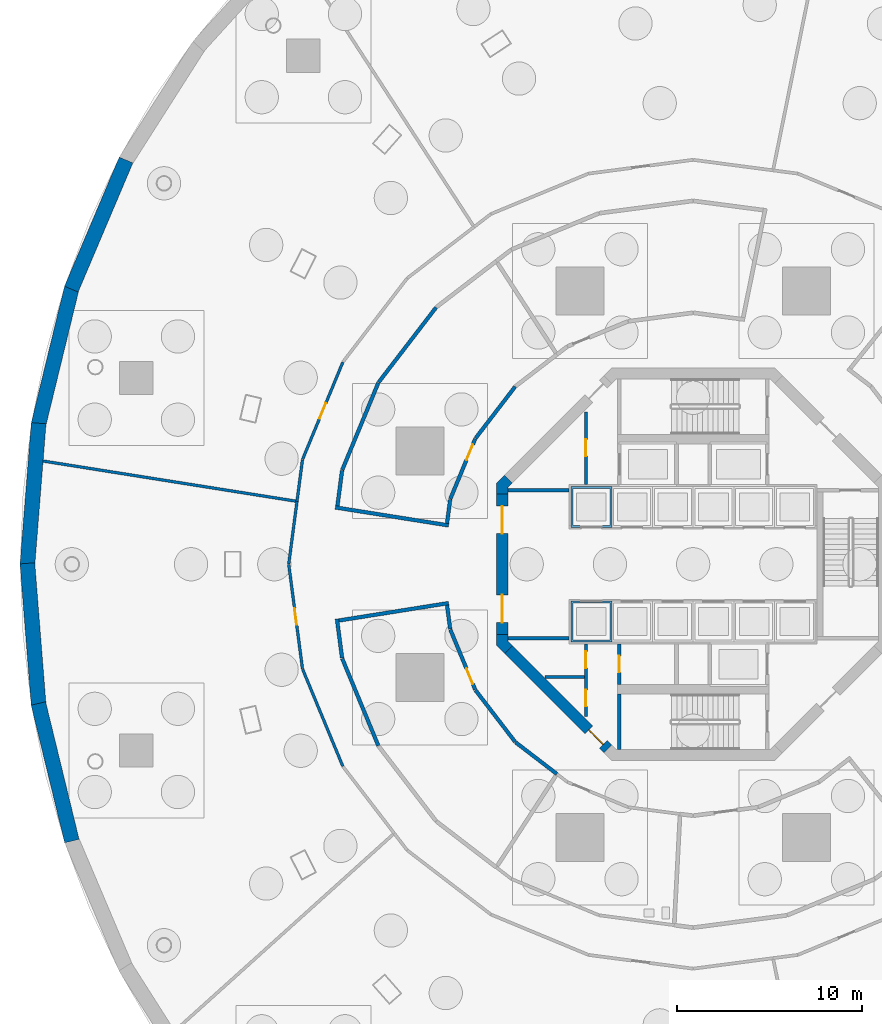
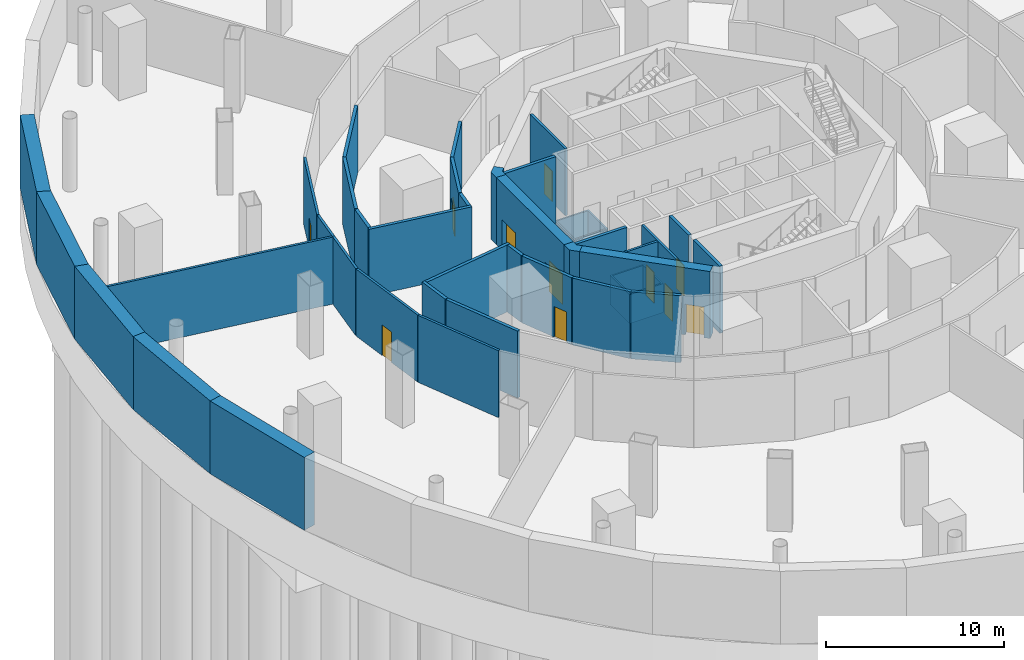
# One storey, part 6 of 14: 38 walls, 11 doors, 11 openings.
"""IFC4 building model written with IfcOpenShell, lengths in metres."""

from ifc_helpers import new_model, si_unit, direction, frame, frame_2d, origin, place, context, subcontext, project, spatial, polyline, rectangle, outline, extrude, material, layer, layer_set, type_object, element, fill, save


model = new_model("IFC4")

# Units and contexts
model_context = context("Model", 3, precision=1e-05, world=origin(), true_north=direction((0.0, 1.0)))
body_context = subcontext(model_context, "Body", "Model", "MODEL_VIEW")
ifc_project = project(units=[si_unit("LENGTHUNIT", "METRE"), si_unit("AREAUNIT", "SQUARE_METRE"), si_unit("VOLUMEUNIT", "CUBIC_METRE"), si_unit("PLANEANGLEUNIT", "RADIAN"), si_unit("MASSUNIT", "GRAM", prefix="KILO")], contexts=[model_context])

# Site, building, storey
site_placement = place(None, origin())
site = spatial("IfcSite", under=ifc_project, at=site_placement, CompositionType="ELEMENT")
building_placement = place(site_placement, origin())
building = spatial("IfcBuilding", under=site, at=building_placement, Name="Nagisa Residences", CompositionType="ELEMENT")
storey_placement = place(building_placement, frame((0.0, 0.0, -10.0)))
storey = spatial("IfcBuildingStorey", under=building, at=storey_placement, Name="B2", CompositionType="ELEMENT", Elevation=-10.0)

# Walls
ifc_material_1 = material(Name="Concrete C40", Category="concrete")
ifc_layer_1 = layer(ifc_material_1, 0.800048828125)
ifc_layer_set_1 = layer_set([ifc_layer_1], Name="Basement retaining wall 800")
wall_type_1 = type_object("IfcWallType", Name="Basement retaining wall 800", PredefinedType="SOLIDWALL", material=ifc_layer_set_1)
wall_1_placement = place(storey_placement, frame((-33.595703125, -14.9716796875, 0.0), z_axis=(0.0, 0.0, 1.0), x_axis=(-0.23668985803, 0.971585256735, 0.0)))
element("IfcWall", 1, at=wall_1_placement, inside=storey, type_object=wall_type_1, Name="wall:B2:ret17", PredefinedType="SOLIDWALL", context=body_context, shape_type="SweptSolid", body=[
    extrude(rectangle(XDim=7.660888671875, YDim=0.800048828125, at=frame_2d((3.83056640625, 0.0))), origin(), (0.0, 0.0, 1.0), 5.0),
])
for number, where, z_axis, x_axis, name in (
    (2, (-35.39306640625, -7.626953125, 0.0), (0.0, 0.0, 1.0), (-0.079287821658, 0.996851764977, 0.0), "wall:B2:ret18"),
    (3, (-36.003662109375, -0.0498046875, 0.0), (0.0, 0.0, 1.0), (0.079287821658, 0.996851764977, 0.0), "wall:B2:ret19"),
):
    element("IfcWall", number, at=place(storey_placement, frame(where, z_axis=z_axis, x_axis=x_axis)), inside=storey, type_object=wall_type_1, Name=name, PredefinedType="SOLIDWALL", context=body_context, shape_type="SweptSolid", body=[
        extrude(rectangle(XDim=7.700927734375, YDim=0.800048828125, at=frame_2d((3.8505859375, 0.0))), origin(), (0.0, 0.0, 1.0), 5.0),
    ])
wall_2_placement = place(storey_placement, frame((-35.408935546875, 7.528564453125, 0.0), z_axis=(0.0, 0.0, 1.0), x_axis=(0.23668985803, 0.971585256735, 0.0)))
element("IfcWall", 4, at=wall_2_placement, inside=storey, type_object=wall_type_1, Name="wall:B2:ret20", PredefinedType="SOLIDWALL", context=body_context, shape_type="SweptSolid", body=[
    extrude(rectangle(XDim=7.660888671875, YDim=0.800048828125, at=frame_2d((3.83056640625, 0.0))), origin(), (0.0, 0.0, 1.0), 5.0),
])
wall_3_placement = place(storey_placement, frame((-33.627197265625, 14.876953125, 0.0), z_axis=(0.0, 0.0, 1.0), x_axis=(0.390299354435, 0.920688011179, 0.0)))
element("IfcWall", 5, at=wall_3_placement, inside=storey, type_object=wall_type_1, Name="wall:B2:ret21", PredefinedType="SOLIDWALL", context=body_context, shape_type="SweptSolid", body=[
    extrude(rectangle(XDim=7.58447265625, YDim=0.800048828125, at=frame_2d((3.792236328125, 0.0))), origin(), (0.0, 0.0, 1.0), 5.0),
])

# Wall, opening, door
ifc_material_2 = material(Name="Gypsum board on steel studs", Category="steel")
ifc_layer_2 = layer(ifc_material_2, 0.14990234375)
ifc_layer_set_2 = layer_set([ifc_layer_2], Name="Core partition 150")
wall_type_2 = type_object("IfcWallType", Name="Core partition 150", PredefinedType="PARTITIONING", material=ifc_layer_set_2)
wall_4_placement = place(storey_placement, frame((-5.800048828125, 4.300048828125, 0.0), z_axis=(0.0, 0.0, 1.0), x_axis=(0.0, 1.0, 0.0)))
wall_4 = element("IfcWall", 6, at=wall_4_placement, inside=storey, type_object=wall_type_2, Name="wall:B2:NWp", PredefinedType="PARTITIONING", context=body_context, shape_type="SweptSolid", body=[
    extrude(rectangle(XDim=3.927001953125, YDim=0.14990234375, at=frame_2d((1.96337890625, 0.0))), origin(), (0.0, 0.0, 1.0), 4.60009765625),
])
opening_1_placement = place(wall_4_placement, frame((1.551025390625, 0.0, 0.0)))
opening_1 = element("IfcOpeningElement", 7, at=opening_1_placement, cuts=wall_4, Name="Opening B2-C19", PredefinedType="OPENING", context=body_context, shape_type="SweptSolid", body=[
    extrude(rectangle(XDim=0.89990234375, YDim=2.10009765625, at=frame_2d((0.449951171875, 1.050048828125))), frame((0.0, 0.0849609375, 0.0), z_axis=(0.0, -1.0, 0.0), x_axis=(1.0, 0.0, 0.0)), (0.0, 0.0, 1.0), 0.169921875),
])
ifc_material_3 = material(Name="Steel fire door", Category="steel")
door_type_1 = type_object("IfcDoorType", Name="Fire door EI30 900x2100 single swing", OperationType="NOTDEFINED", PredefinedType="DOOR", material=ifc_material_3)
door_1_placement = place(opening_1_placement, origin())
door_1 = element("IfcDoor", 8, at=door_1_placement, inside=storey, type_object=door_type_1, Name="Staff WC door B2", OperationType="SINGLE_SWING_RIGHT", OverallHeight=2.10009765625, OverallWidth=0.89990234375, PredefinedType="DOOR", context=body_context, shape_type="SweptSolid", body=[
    extrude(rectangle(XDim=0.89990234375, YDim=2.10009765625, at=frame_2d((0.449951171875, 1.050048828125))), frame((0.0, 0.02490234375, 0.0), z_axis=(0.0, -1.0, 0.0), x_axis=(1.0, 0.0, 0.0)), (0.0, 0.0, 1.0), 0.050048828125),
])
fill(opening_1, door_1)

# Wall, openings, doors
wall_5_placement = place(storey_placement, frame((-5.800048828125, -8.22705078125, 0.0), z_axis=(0.0, 0.0, 1.0), x_axis=(0.0, 1.0, 0.0)))
wall_5 = element("IfcWall", 9, at=wall_5_placement, inside=storey, type_object=wall_type_2, Name="wall:B2:SWp", PredefinedType="PARTITIONING", context=body_context, shape_type="SweptSolid", body=[
    extrude(rectangle(XDim=3.927001953125, YDim=0.14990234375, at=frame_2d((1.96337890625, 0.0))), origin(), (0.0, 0.0, 1.0), 4.60009765625),
])
opening_2_placement = place(wall_5_placement, frame((2.614501953125, 0.0, 0.0)))
opening_2 = element("IfcOpeningElement", 10, at=opening_2_placement, cuts=wall_5, Name="Opening B2-C20", PredefinedType="OPENING", context=body_context, shape_type="SweptSolid", body=[
    extrude(rectangle(XDim=0.89990234375, YDim=2.10009765625, at=frame_2d((0.449951171875, 1.050048828125))), frame((0.0, 0.0849609375, 0.0), z_axis=(0.0, -1.0, 0.0), x_axis=(1.0, 0.0, 0.0)), (0.0, 0.0, 1.0), 0.169921875),
])
opening_3_placement = place(wall_5_placement, frame((0.53857421875, 0.0, 0.0)))
opening_3 = element("IfcOpeningElement", 11, at=opening_3_placement, cuts=wall_5, Name="Opening B2-C21", PredefinedType="OPENING", context=body_context, shape_type="SweptSolid", body=[
    extrude(rectangle(XDim=0.89990234375, YDim=2.10009765625, at=frame_2d((0.449951171875, 1.050048828125))), frame((0.0, 0.0849609375, 0.0), z_axis=(0.0, -1.0, 0.0), x_axis=(1.0, 0.0, 0.0)), (0.0, 0.0, 1.0), 0.169921875),
])
door_2_placement = place(opening_2_placement, origin())
door_2 = element("IfcDoor", 12, at=door_2_placement, inside=storey, type_object=door_type_1, Name="Telecom room door B2", OperationType="SINGLE_SWING_RIGHT", OverallHeight=2.10009765625, OverallWidth=0.89990234375, PredefinedType="DOOR", context=body_context, shape_type="SweptSolid", body=[
    extrude(rectangle(XDim=0.89990234375, YDim=2.10009765625, at=frame_2d((0.449951171875, 1.050048828125))), frame((0.0, 0.02490234375, 0.0), z_axis=(0.0, -1.0, 0.0), x_axis=(1.0, 0.0, 0.0)), (0.0, 0.0, 1.0), 0.050048828125),
])
fill(opening_2, door_2)
door_3_placement = place(opening_3_placement, origin())
door_3 = element("IfcDoor", 13, at=door_3_placement, inside=storey, type_object=door_type_1, Name="Linen store door B2", OperationType="SINGLE_SWING_RIGHT", OverallHeight=2.10009765625, OverallWidth=0.89990234375, PredefinedType="DOOR", context=body_context, shape_type="SweptSolid", body=[
    extrude(rectangle(XDim=0.89990234375, YDim=2.10009765625, at=frame_2d((0.449951171875, 1.050048828125))), frame((0.0, 0.02490234375, 0.0), z_axis=(0.0, -1.0, 0.0), x_axis=(1.0, 0.0, 0.0)), (0.0, 0.0, 1.0), 0.050048828125),
])
fill(opening_3, door_3)

# Walls
wall_6_placement = place(storey_placement, frame((-8.0009765625, -6.10009765625, 0.0), z_axis=(0.0, 0.0, 1.0), x_axis=(1.0, 0.0, 0.0)))
element("IfcWall", 14, at=wall_6_placement, inside=storey, type_object=wall_type_2, Name="wall:B2:SWq", PredefinedType="PARTITIONING", context=body_context, shape_type="SweptSolid", body=[
    extrude(rectangle(XDim=2.1259765625, YDim=0.14990234375, at=frame_2d((1.06298828125, 0.0))), origin(), (0.0, 0.0, 1.0), 4.60009765625),
])
ifc_material_4 = material(Name="Gypsum board on steel studs", Category="steel")
ifc_layer_3 = layer(ifc_material_4, 0.199951171875)
ifc_layer_set_3 = layer_set([ifc_layer_3], Name="Core partition 200")
wall_type_3 = type_object("IfcWallType", Name="Core partition 200", PredefinedType="PARTITIONING", material=ifc_layer_set_3)
for number, where, z_axis, x_axis, name in (
    (15, (-10.024658203125, -4.0, 0.0), (0.0, 0.0, 1.0), (1.0, 0.0, 0.0), "wall:B2:PSW"),
    (16, (-10.024658203125, 4.0, 0.0), (0.0, 0.0, 1.0), (1.0, 0.0, 0.0), "wall:B2:PNW"),
):
    element("IfcWall", number, at=place(storey_placement, frame(where, z_axis=z_axis, x_axis=x_axis)), inside=storey, type_object=wall_type_3, Name=name, PredefinedType="PARTITIONING", context=body_context, shape_type="SweptSolid", body=[
        extrude(rectangle(XDim=3.32470703125, YDim=0.199951171875, at=frame_2d((1.662353515625, 0.0))), origin(), (0.0, 0.0, 1.0), 4.60009765625),
    ])

# Wall, openings, doors
ifc_material_5 = material(Name="Concrete C60", Category="concrete")
ifc_layer_4 = layer(ifc_material_5, 0.60009765625)
ifc_layer_set_4 = layer_set([ifc_layer_4], Name="Core shear wall 600")
wall_type_4 = type_object("IfcWallType", Name="Core shear wall 600", PredefinedType="SHEAR", material=ifc_layer_set_4)
wall_7_placement = place(storey_placement, frame((-10.32470703125, 3.80078125, 0.0), z_axis=(0.0, 0.0, 1.0), x_axis=(0.0, -1.0, 0.0)))
wall_7 = element("IfcWall", 17, at=wall_7_placement, inside=storey, type_object=wall_type_4, Name="wall:B2:core:flat4", PredefinedType="SHEAR", context=body_context, shape_type="SweptSolid", body=[
    extrude(rectangle(XDim=7.6015625, YDim=0.60009765625, at=frame_2d((3.80078125, 0.0))), origin(), (0.0, 0.0, 1.0), 4.60009765625),
])
opening_4_placement = place(wall_7_placement, frame((0.65087890625, 0.0, 0.0)))
opening_4 = element("IfcOpeningElement", 18, at=opening_4_placement, cuts=wall_7, Name="Opening B2-C25", PredefinedType="OPENING", context=body_context, shape_type="SweptSolid", body=[
    extrude(rectangle(XDim=1.5, YDim=2.10009765625, at=frame_2d((0.75, 1.050048828125))), frame((0.0, 0.31005859375, 0.0), z_axis=(0.0, -1.0, 0.0), x_axis=(1.0, 0.0, 0.0)), (0.0, 0.0, 1.0), 0.6201171875),
])
opening_5_placement = place(wall_7_placement, frame((5.450927734375, 0.0, 0.0)))
opening_5 = element("IfcOpeningElement", 19, at=opening_5_placement, cuts=wall_7, Name="Opening B2-C26", PredefinedType="OPENING", context=body_context, shape_type="SweptSolid", body=[
    extrude(rectangle(XDim=1.5, YDim=2.10009765625, at=frame_2d((0.75, 1.050048828125))), frame((0.0, 0.31005859375, 0.0), z_axis=(0.0, -1.0, 0.0), x_axis=(1.0, 0.0, 0.0)), (0.0, 0.0, 1.0), 0.6201171875),
])
ifc_material_6 = material(Name="Steel fire door", Category="steel")
door_type_2 = type_object("IfcDoorType", Name="Fire door EI60 1500x2100 double door single swing", OperationType="DOUBLE_DOOR_SINGLE_SWING", PredefinedType="DOOR", material=ifc_material_6)
door_4_placement = place(opening_4_placement, origin())
door_4 = element("IfcDoor", 20, at=door_4_placement, inside=storey, type_object=door_type_2, Name="Lift lobby door B2 1", OperationType="DOUBLE_DOOR_SINGLE_SWING", OverallHeight=2.10009765625, OverallWidth=1.5, PredefinedType="DOOR", context=body_context, shape_type="SweptSolid", body=[
    extrude(rectangle(XDim=1.5, YDim=2.10009765625, at=frame_2d((0.75, 1.050048828125))), frame((0.0, 0.02490234375, 0.0), z_axis=(0.0, -1.0, 0.0), x_axis=(1.0, 0.0, 0.0)), (0.0, 0.0, 1.0), 0.050048828125),
])
fill(opening_4, door_4)
door_5_placement = place(opening_5_placement, origin())
door_5 = element("IfcDoor", 21, at=door_5_placement, inside=storey, type_object=door_type_2, Name="Lift lobby door B2 2", OperationType="DOUBLE_DOOR_SINGLE_SWING", OverallHeight=2.10009765625, OverallWidth=1.5, PredefinedType="DOOR", context=body_context, shape_type="SweptSolid", body=[
    extrude(rectangle(XDim=1.5, YDim=2.10009765625, at=frame_2d((0.75, 1.050048828125))), frame((0.0, 0.02490234375, 0.0), z_axis=(0.0, -1.0, 0.0), x_axis=(1.0, 0.0, 0.0)), (0.0, 0.0, 1.0), 0.050048828125),
])
fill(opening_5, door_5)

# Wall, opening, door
wall_8_placement = place(storey_placement, frame((-9.98828125, -4.613037109375, 0.0), z_axis=(0.0, 0.0, 1.0), x_axis=(0.707106781187, -0.707106781187, 0.0)))
wall_8 = element("IfcWall", 22, at=wall_8_placement, inside=storey, type_object=wall_type_4, Name="wall:B2:core:flat5", PredefinedType="SHEAR", context=body_context, shape_type="SweptSolid", body=[
    extrude(rectangle(XDim=7.601806640625, YDim=0.60009765625, at=frame_2d((3.80078125, 0.0))), origin(), (0.0, 0.0, 1.0), 4.60009765625),
])
opening_6_placement = place(wall_8_placement, frame((6.15087890625, 0.0, 0.0)))
opening_6 = element("IfcOpeningElement", 23, at=opening_6_placement, cuts=wall_8, Name="Opening B2-C28", PredefinedType="OPENING", context=body_context, shape_type="SweptSolid", body=[
    extrude(rectangle(XDim=1.10009765625, YDim=2.10009765625, at=frame_2d((0.550048828125, 1.050048828125))), frame((0.0, 0.31005859375, 0.0), z_axis=(0.0, -1.0, 0.0), x_axis=(1.0, 0.0, 0.0)), (0.0, 0.0, 1.0), 0.6201171875),
])
ifc_material_7 = material(Name="Steel fire door", Category="steel")
door_type_3 = type_object("IfcDoorType", Name="Fire door EI60 1100x2100 single swing", OperationType="NOTDEFINED", PredefinedType="DOOR", material=ifc_material_7)
door_6_placement = place(opening_6_placement, origin())
door_6 = element("IfcDoor", 24, at=door_6_placement, inside=storey, type_object=door_type_3, Name="Housekeeping lobby door B2", OperationType="SINGLE_SWING_LEFT", OverallHeight=2.10009765625, OverallWidth=1.10009765625, PredefinedType="DOOR", context=body_context, shape_type="SweptSolid", body=[
    extrude(rectangle(XDim=1.10009765625, YDim=2.10009765625, at=frame_2d((0.550048828125, 1.050048828125))), frame((0.0, 0.02490234375, 0.0), z_axis=(0.0, -1.0, 0.0), x_axis=(1.0, 0.0, 0.0)), (0.0, 0.0, 1.0), 0.050048828125),
])
fill(opening_6, door_6)

# Walls
wall_9_placement = place(storey_placement, origin())
element("IfcWall", 25, at=wall_9_placement, inside=storey, type_object=wall_type_4, Name="wall:B2:core:pier4", PredefinedType="SHEAR", context=body_context, shape_type="SweptSolid", body=[
    extrude(outline(polyline([(-10.62451171875, -3.80078125), (-10.024658203125, -3.80078125), (-10.024658203125, -4.15234375), (-9.776123046875, -4.40087890625), (-10.200439453125, -4.8251953125), (-10.62451171875, -4.40087890625), (-10.62451171875, -3.80078125)])), origin(), (0.0, 0.0, 1.0), 4.60009765625),
])
wall_10_placement = place(storey_placement, origin())
element("IfcWall", 26, at=wall_10_placement, inside=storey, type_object=wall_type_4, Name="wall:B2:core:pier3", PredefinedType="SHEAR", context=body_context, shape_type="SweptSolid", body=[
    extrude(outline(polyline([(-10.200439453125, 4.8251953125), (-9.776123046875, 4.40087890625), (-10.024658203125, 4.15234375), (-10.024658203125, 3.80078125), (-10.62451171875, 3.80078125), (-10.62451171875, 4.40087890625), (-10.200439453125, 4.8251953125)])), origin(), (0.0, 0.0, 1.0), 4.60009765625),
])
ifc_material_8 = material(Name="Concrete C60", Category="concrete")
ifc_layer_5 = layer(ifc_material_8, 0.300048828125)
ifc_layer_set_5 = layer_set([ifc_layer_5], Name="Lift pit wall")
wall_type_5 = type_object("IfcWallType", Name="Lift pit wall", PredefinedType="SOLIDWALL", material=ifc_layer_set_5)
wall_11_placement = place(storey_placement, frame((0.0, 0.0, -2.0)))
element("IfcWall", 27, at=wall_11_placement, inside=storey, type_object=wall_type_5, Name="pit:A1:wall", PredefinedType="SOLIDWALL", context=body_context, shape_type="SweptSolid", body=[
    extrude(outline(polyline([(-4.39990234375, 2.0), (-6.60009765625, 2.0), (-6.60009765625, 4.199951171875), (-4.39990234375, 4.199951171875), (-4.39990234375, 2.0)]), holes=[polyline([(-4.5, 2.10009765625), (-4.5, 4.10009765625), (-6.5, 4.10009765625), (-6.5, 2.10009765625), (-4.5, 2.10009765625)])]), origin(), (0.0, 0.0, 1.0), 2.0),
])
wall_12_placement = place(storey_placement, frame((0.0, 0.0, -2.0)))
element("IfcWall", 28, at=wall_12_placement, inside=storey, type_object=wall_type_5, Name="pit:A4:wall", PredefinedType="SOLIDWALL", context=body_context, shape_type="SweptSolid", body=[
    extrude(outline(polyline([(-4.39990234375, -4.199951171875), (-6.60009765625, -4.199951171875), (-6.60009765625, -2.0), (-4.39990234375, -2.0), (-4.39990234375, -4.199951171875)]), holes=[polyline([(-4.5, -4.10009765625), (-4.5, -2.10009765625), (-6.5, -2.10009765625), (-6.5, -4.10009765625), (-4.5, -4.10009765625)])]), origin(), (0.0, 0.0, 1.0), 2.0),
])

# Wall, opening, door
ifc_material_9 = material(Name="Concrete C60", Category="concrete")
ifc_layer_6 = layer(ifc_material_9, 0.199951171875)
ifc_layer_set_6 = layer_set([ifc_layer_6], Name="Lift shaft wall 200")
wall_type_6 = type_object("IfcWallType", Name="Lift shaft wall 200", PredefinedType="SOLIDWALL", material=ifc_layer_set_6)
wall_13_placement = place(storey_placement, frame((-4.0, -6.5, 0.0), z_axis=(0.0, 0.0, 1.0), x_axis=(0.0, 1.0, 0.0)))
wall_13 = element("IfcWall", 29, at=wall_13_placement, inside=storey, type_object=wall_type_6, Name="wall:B2:Sb4", PredefinedType="SOLIDWALL", context=body_context, shape_type="SweptSolid", body=[
    extrude(rectangle(XDim=2.199951171875, YDim=0.199951171875, at=frame_2d((1.10009765625, 0.0))), origin(), (0.0, 0.0, 1.0), 4.60009765625),
])
opening_7_placement = place(wall_13_placement, frame((0.64990234375, 0.0, 0.0)))
opening_7 = element("IfcOpeningElement", 30, at=opening_7_placement, cuts=wall_13, Name="Opening B2-C22", PredefinedType="OPENING", context=body_context, shape_type="SweptSolid", body=[
    extrude(rectangle(XDim=0.89990234375, YDim=2.10009765625, at=frame_2d((0.449951171875, 1.050048828125))), frame((0.0, 0.10986328125, 0.0), z_axis=(0.0, -1.0, 0.0), x_axis=(1.0, 0.0, 0.0)), (0.0, 0.0, 1.0), 0.219970703125),
])
door_7_placement = place(opening_7_placement, frame((0.89990234375, 0.0, 0.0), x_axis=(-1.0, 0.0, 0.0)))
door_7 = element("IfcDoor", 31, at=door_7_placement, inside=storey, type_object=door_type_1, Name="Refuse room door B2", OperationType="SINGLE_SWING_LEFT", OverallHeight=2.10009765625, OverallWidth=0.89990234375, PredefinedType="DOOR", context=body_context, shape_type="SweptSolid", body=[
    extrude(rectangle(XDim=0.89990234375, YDim=2.10009765625, at=frame_2d((0.449951171875, 1.050048828125))), frame((0.0, 0.02490234375, 0.0), z_axis=(0.0, -1.0, 0.0), x_axis=(1.0, 0.0, 0.0)), (0.0, 0.0, 1.0), 0.050048828125),
])
fill(opening_7, door_7)

# Walls
ifc_material_10 = material(Name="Gypsum board on steel studs", Category="steel")
ifc_layer_7 = layer(ifc_material_10, 0.199951171875)
ifc_layer_set_7 = layer_set([ifc_layer_7], Name="Plant room wall EI120 200")
wall_type_7 = type_object("IfcWallType", Name="Plant room wall EI120 200", PredefinedType="PARTITIONING", material=ifc_layer_set_7)
wall_14_placement = place(storey_placement, frame((-19.262451171875, -2.957763671875, 0.0), z_axis=(0.0, 0.0, 1.0), x_axis=(0.130558200013, -0.991440646942, 0.0)))
element("IfcWall", 32, at=wall_14_placement, inside=storey, type_object=wall_type_7, Name="wall:B2:am044", PredefinedType="PARTITIONING", context=body_context, shape_type="SweptSolid", body=[
    extrude(rectangle(XDim=2.1318359375, YDim=0.199951171875, at=frame_2d((1.06591796875, 0.0))), origin(), (0.0, 0.0, 1.0), 4.60009765625),
])
wall_15_placement = place(storey_placement, frame((-19.34814453125, 3.072509765625, 0.0), z_axis=(0.0, 0.0, 1.0), x_axis=(0.987626626827, -0.15682361424, 0.0)))
element("IfcWall", 33, at=wall_15_placement, inside=storey, type_object=wall_type_7, Name="wall:B2:am045", PredefinedType="PARTITIONING", context=body_context, shape_type="SweptSolid", body=[
    extrude(rectangle(XDim=6.2021484375, YDim=0.199951171875, at=frame_2d((3.10107421875, 0.0))), origin(), (0.0, 0.0, 1.0), 4.60009765625),
])
wall_16_placement = place(storey_placement, frame((-18.976318359375, -5.100341796875, 0.0), z_axis=(0.0, 0.0, 1.0), x_axis=(0.382687210373, -0.9238779676, 0.0)))
element("IfcWall", 34, at=wall_16_placement, inside=storey, type_object=wall_type_7, Name="wall:B2:am046", PredefinedType="PARTITIONING", context=body_context, shape_type="SweptSolid", body=[
    extrude(rectangle(XDim=5.099853515625, YDim=0.199951171875, at=frame_2d((2.5498046875, 0.0))), origin(), (0.0, 0.0, 1.0), 4.60009765625),
])
wall_17_placement = place(storey_placement, frame((-18.984130859375, 5.0712890625, 0.0), z_axis=(0.0, 0.0, 1.0), x_axis=(-0.130549317595, -0.991441816586, 0.0)))
element("IfcWall", 35, at=wall_17_placement, inside=storey, type_object=wall_type_7, Name="wall:B2:am047", PredefinedType="PARTITIONING", context=body_context, shape_type="SweptSolid", body=[
    extrude(rectangle(XDim=1.931884765625, YDim=0.199951171875, at=frame_2d((0.9658203125, 0.0))), origin(), (0.0, 0.0, 1.0), 4.60009765625),
])
for number, where, z_axis, x_axis, name in (
    (36, (-17.024658203125, 9.81201171875, 0.0), (0.0, 0.0, 1.0), (-0.382687210373, -0.9238779676, 0.0), "wall:B2:am049"),
    (37, (-13.905029296875, 13.8837890625, 0.0), (0.0, 0.0, 1.0), (-0.608787255668, -0.79333352213, 0.0), "wall:B2:am051"),
):
    element("IfcWall", number, at=place(storey_placement, frame(where, z_axis=z_axis, x_axis=x_axis)), inside=storey, type_object=wall_type_7, Name=name, PredefinedType="PARTITIONING", context=body_context, shape_type="SweptSolid", body=[
        extrude(rectangle(XDim=5.099853515625, YDim=0.199951171875, at=frame_2d((2.5498046875, 0.0))), origin(), (0.0, 0.0, 1.0), 4.60009765625),
    ])
wall_18_placement = place(storey_placement, frame((-13.22265625, -2.099853515625, 0.0), z_axis=(0.0, 0.0, 1.0), x_axis=(-0.98762373009, -0.156841855905, 0.0)))
element("IfcWall", 38, at=wall_18_placement, inside=storey, type_object=wall_type_7, Name="wall:B2:am052", PredefinedType="PARTITIONING", context=body_context, shape_type="SweptSolid", body=[
    extrude(rectangle(XDim=6.002197265625, YDim=0.199951171875, at=frame_2d((3.0009765625, 0.0))), origin(), (0.0, 0.0, 1.0), 4.60009765625),
])
for number, where, z_axis, x_axis, name in (
    (39, (-13.308349609375, 2.214599609375, 0.0), (0.0, 0.0, 1.0), (0.13038172, 0.991463870794, 0.0), "wall:B2:am053"),
    (40, (-13.138671875, -3.5048828125, 0.0), (0.0, 0.0, 1.0), (-0.13038172, 0.991463870794, 0.0), "wall:B2:am054"),
):
    element("IfcWall", number, at=place(storey_placement, frame(where, z_axis=z_axis, x_axis=x_axis)), inside=storey, type_object=wall_type_7, Name=name, PredefinedType="PARTITIONING", context=body_context, shape_type="SweptSolid", body=[
        extrude(rectangle(XDim=1.301513671875, YDim=0.199951171875, at=frame_2d((0.65087890625, 0.0))), origin(), (0.0, 0.0, 1.0), 4.60009765625),
    ])

# Wall, opening, door
wall_19_placement = place(storey_placement, frame((-13.130859375, 3.533935546875, 0.0), z_axis=(0.0, 0.0, 1.0), x_axis=(0.382723413813, 0.92386297064, 0.0)))
wall_19 = element("IfcWall", 41, at=wall_19_placement, inside=storey, type_object=wall_type_7, Name="wall:B2:am055", PredefinedType="PARTITIONING", context=body_context, shape_type="SweptSolid", body=[
    extrude(rectangle(XDim=3.52001953125, YDim=0.199951171875, at=frame_2d((1.760009765625, 0.0))), origin(), (0.0, 0.0, 1.0), 4.60009765625),
])
opening_8_placement = place(wall_19_placement, frame((2.277587890625, 0.0, 0.0)))
opening_8 = element("IfcOpeningElement", 42, at=opening_8_placement, cuts=wall_19, Name="Opening B2-A03", PredefinedType="OPENING", context=body_context, shape_type="SweptSolid", body=[
    extrude(rectangle(XDim=0.89990234375, YDim=2.10009765625, at=frame_2d((0.449951171875, 1.050048828125))), frame((0.0, 0.10986328125, 0.0), z_axis=(0.0, -1.0, 0.0), x_axis=(1.0, 0.0, 0.0)), (0.0, 0.0, 1.0), 0.219970703125),
])
ifc_material_11 = material(Name="Steel fire door", Category="steel")
door_type_4 = type_object("IfcDoorType", Name="Fire door EI120 900x2100 single swing", OperationType="NOTDEFINED", PredefinedType="DOOR", material=ifc_material_11)
door_8_placement = place(opening_8_placement, origin())
door_8 = element("IfcDoor", 43, at=door_8_placement, inside=storey, type_object=door_type_4, Name="Main LV switchroom door", OperationType="SINGLE_SWING_RIGHT", OverallHeight=2.10009765625, OverallWidth=0.89990234375, PredefinedType="DOOR", context=body_context, shape_type="SweptSolid", body=[
    extrude(rectangle(XDim=0.89990234375, YDim=2.10009765625, at=frame_2d((0.449951171875, 1.050048828125))), frame((0.0, 0.02490234375, 0.0), z_axis=(0.0, -1.0, 0.0), x_axis=(1.0, 0.0, 0.0)), (0.0, 0.0, 1.0), 0.050048828125),
])
fill(opening_8, door_8)

wall_20_placement = place(storey_placement, frame((-11.78369140625, -6.785888671875, 0.0), z_axis=(0.0, 0.0, 1.0), x_axis=(-0.382723413813, 0.92386297064, 0.0)))
wall_20 = element("IfcWall", 44, at=wall_20_placement, inside=storey, type_object=wall_type_7, Name="wall:B2:am056", PredefinedType="PARTITIONING", context=body_context, shape_type="SweptSolid", body=[
    extrude(rectangle(XDim=3.52001953125, YDim=0.199951171875, at=frame_2d((1.760009765625, 0.0))), origin(), (0.0, 0.0, 1.0), 4.60009765625),
])
opening_9_placement = place(wall_20_placement, frame((0.34228515625, 0.0, 0.0)))
opening_9 = element("IfcOpeningElement", 45, at=opening_9_placement, cuts=wall_20, Name="Opening B2-A04", PredefinedType="OPENING", context=body_context, shape_type="SweptSolid", body=[
    extrude(rectangle(XDim=0.89990234375, YDim=2.10009765625, at=frame_2d((0.449951171875, 1.050048828125))), frame((0.0, 0.10986328125, 0.0), z_axis=(0.0, -1.0, 0.0), x_axis=(1.0, 0.0, 0.0)), (0.0, 0.0, 1.0), 0.219970703125),
])
door_9_placement = place(opening_9_placement, origin())
door_9 = element("IfcDoor", 46, at=door_9_placement, inside=storey, type_object=door_type_4, Name="Standby generator room door", OperationType="SINGLE_SWING_LEFT", OverallHeight=2.10009765625, OverallWidth=0.89990234375, PredefinedType="DOOR", context=body_context, shape_type="SweptSolid", body=[
    extrude(rectangle(XDim=0.89990234375, YDim=2.10009765625, at=frame_2d((0.449951171875, 1.050048828125))), frame((0.0, 0.02490234375, 0.0), z_axis=(0.0, -1.0, 0.0), x_axis=(1.0, 0.0, 0.0)), (0.0, 0.0, 1.0), 0.050048828125),
])
fill(opening_9, door_9)

# Walls
for number, where, z_axis, x_axis, name in (
    (47, (-11.7685546875, 6.81201171875, 0.0), (0.0, 0.0, 1.0), (0.608697977542, 0.793402024283, 0.0), "wall:B2:am057"),
    (48, (-9.6259765625, -9.604736328125, 0.0), (0.0, 0.0, 1.0), (-0.608697977542, 0.793402024283, 0.0), "wall:B2:am061"),
):
    element("IfcWall", number, at=place(storey_placement, frame(where, z_axis=z_axis, x_axis=x_axis)), inside=storey, type_object=wall_type_7, Name=name, PredefinedType="PARTITIONING", context=body_context, shape_type="SweptSolid", body=[
        extrude(rectangle(XDim=3.52001953125, YDim=0.199951171875, at=frame_2d((1.760009765625, 0.0))), origin(), (0.0, 0.0, 1.0), 4.60009765625),
    ])
wall_21_placement = place(storey_placement, frame((-7.366455078125, -11.34326171875, 0.0), z_axis=(0.0, 0.0, 1.0), x_axis=(-0.793389024662, 0.608714921409, 0.0)))
element("IfcWall", 49, at=wall_21_placement, inside=storey, type_object=wall_type_7, Name="wall:B2:am063", PredefinedType="PARTITIONING", context=body_context, shape_type="SweptSolid", body=[
    extrude(rectangle(XDim=2.821044921875, YDim=0.199951171875, at=frame_2d((1.41064453125, 0.0))), origin(), (0.0, 0.0, 1.0), 4.60009765625),
])
ifc_material_12 = material(Name="Gypsum board on steel studs", Category="steel")
ifc_layer_8 = layer(ifc_material_12, 0.14990234375)
ifc_layer_set_8 = layer_set([ifc_layer_8], Name="Room partition EI60 150")
wall_type_8 = type_object("IfcWallType", Name="Room partition EI60 150", PredefinedType="PARTITIONING", material=ifc_layer_set_8)
wall_22_placement = place(storey_placement, frame((-21.869140625, 0.01171875, 0.0), z_axis=(0.0, 0.0, 1.0), x_axis=(0.130508069965, 0.991447247045, 0.0)))
element("IfcWall", 50, at=wall_22_placement, inside=storey, type_object=wall_type_8, Name="wall:B2:am000", PredefinedType="PARTITIONING", context=body_context, shape_type="SweptSolid", body=[
    extrude(rectangle(XDim=3.419677734375, YDim=0.14990234375, at=frame_2d((1.7099609375, 0.0))), origin(), (0.0, 0.0, 1.0), 4.60009765625),
])
wall_23_placement = place(storey_placement, frame((-21.4970703125, 3.413818359375, 0.0), z_axis=(0.0, 0.0, 1.0), x_axis=(-0.987622855612, 0.156847362339, 0.0)))
element("IfcWall", 51, at=wall_23_placement, inside=storey, type_object=wall_type_8, Name="wall:B2:am001", PredefinedType="PARTITIONING", context=body_context, shape_type="SweptSolid", body=[
    extrude(rectangle(XDim=13.828369140625, YDim=0.14990234375, at=frame_2d((6.9140625, 0.0))), origin(), (0.0, 0.0, 1.0), 4.60009765625),
])
wall_24_placement = place(storey_placement, frame((-21.4228515625, 3.402099609375, 0.0), z_axis=(0.0, 0.0, 1.0), x_axis=(0.130568768581, 0.991439255159, 0.0)))
element("IfcWall", 52, at=wall_24_placement, inside=storey, type_object=wall_type_8, Name="wall:B2:am002", PredefinedType="PARTITIONING", context=body_context, shape_type="SweptSolid", body=[
    extrude(rectangle(XDim=2.26611328125, YDim=0.14990234375, at=frame_2d((1.133056640625, 0.0))), origin(), (0.0, 0.0, 1.0), 4.60009765625),
])

# Wall, opening, door
wall_25_placement = place(storey_placement, frame((-21.126953125, -5.64892578125, 0.0), z_axis=(0.0, 0.0, 1.0), x_axis=(-0.130532262837, 0.991444062143, 0.0)))
wall_25 = element("IfcWall", 53, at=wall_25_placement, inside=storey, type_object=wall_type_8, Name="wall:B2:am003", PredefinedType="PARTITIONING", context=body_context, shape_type="SweptSolid", body=[
    extrude(rectangle(XDim=5.685791015625, YDim=0.14990234375, at=frame_2d((2.8427734375, 0.0))), origin(), (0.0, 0.0, 1.0), 4.60009765625),
])
opening_10_placement = place(wall_25_placement, frame((2.392822265625, 0.0, 0.0)))
opening_10 = element("IfcOpeningElement", 54, at=opening_10_placement, cuts=wall_25, Name="Opening B2-A11", PredefinedType="OPENING", context=body_context, shape_type="SweptSolid", body=[
    extrude(rectangle(XDim=0.89990234375, YDim=2.10009765625, at=frame_2d((0.449951171875, 1.050048828125))), frame((0.0, 0.0849609375, 0.0), z_axis=(0.0, -1.0, 0.0), x_axis=(1.0, 0.0, 0.0)), (0.0, 0.0, 1.0), 0.169921875),
])
door_10_placement = place(opening_10_placement, origin())
door_10 = element("IfcDoor", 55, at=door_10_placement, inside=storey, type_object=door_type_1, Name="Facilities workshop door", OperationType="SINGLE_SWING_RIGHT", OverallHeight=2.10009765625, OverallWidth=0.89990234375, PredefinedType="DOOR", context=body_context, shape_type="SweptSolid", body=[
    extrude(rectangle(XDim=0.89990234375, YDim=2.10009765625, at=frame_2d((0.449951171875, 1.050048828125))), frame((0.0, 0.02490234375, 0.0), z_axis=(0.0, -1.0, 0.0), x_axis=(1.0, 0.0, 0.0)), (0.0, 0.0, 1.0), 0.050048828125),
])
fill(opening_10, door_10)

wall_26_placement = place(storey_placement, frame((-21.120849609375, 5.671630859375, 0.0), z_axis=(0.0, 0.0, 1.0), x_axis=(0.38269058712, 0.923876568882, 0.0)))
wall_26 = element("IfcWall", 56, at=wall_26_placement, inside=storey, type_object=wall_type_8, Name="wall:B2:am004", PredefinedType="PARTITIONING", context=body_context, shape_type="SweptSolid", body=[
    extrude(rectangle(XDim=5.685546875, YDim=0.14990234375, at=frame_2d((2.8427734375, 0.0))), origin(), (0.0, 0.0, 1.0), 4.60009765625),
])
opening_11_placement = place(wall_26_placement, frame((2.392822265625, 0.0, 0.0)))
opening_11 = element("IfcOpeningElement", 57, at=opening_11_placement, cuts=wall_26, Name="Opening B2-A10", PredefinedType="OPENING", context=body_context, shape_type="SweptSolid", body=[
    extrude(rectangle(XDim=0.89990234375, YDim=2.10009765625, at=frame_2d((0.449951171875, 1.050048828125))), frame((0.0, 0.0849609375, 0.0), z_axis=(0.0, -1.0, 0.0), x_axis=(1.0, 0.0, 0.0)), (0.0, 0.0, 1.0), 0.169921875),
])
door_11_placement = place(opening_11_placement, origin())
door_11 = element("IfcDoor", 58, at=door_11_placement, inside=storey, type_object=door_type_1, Name="Waste sorting room door", OperationType="SINGLE_SWING_LEFT", OverallHeight=2.10009765625, OverallWidth=0.89990234375, PredefinedType="DOOR", context=body_context, shape_type="SweptSolid", body=[
    extrude(rectangle(XDim=0.89990234375, YDim=2.10009765625, at=frame_2d((0.449951171875, 1.050048828125))), frame((0.0, 0.02490234375, 0.0), z_axis=(0.0, -1.0, 0.0), x_axis=(1.0, 0.0, 0.0)), (0.0, 0.0, 1.0), 0.050048828125),
])
fill(opening_11, door_11)

# Walls
wall_27_placement = place(storey_placement, frame((-18.945068359375, -10.92431640625, 0.0), z_axis=(0.0, 0.0, 1.0), x_axis=(-0.38269058712, 0.923876568882, 0.0)))
element("IfcWall", 59, at=wall_27_placement, inside=storey, type_object=wall_type_8, Name="wall:B2:am005", PredefinedType="PARTITIONING", context=body_context, shape_type="SweptSolid", body=[
    extrude(rectangle(XDim=5.685546875, YDim=0.14990234375, at=frame_2d((2.8427734375, 0.0))), origin(), (0.0, 0.0, 1.0), 4.60009765625),
])
ifc_material_13 = material(Name="Concrete C60", Category="concrete")
ifc_layer_9 = layer(ifc_material_13, 0.199951171875)
ifc_layer_set_9 = layer_set([ifc_layer_9], Name="Stair enclosure wall 200")
wall_type_9 = type_object("IfcWallType", Name="Stair enclosure wall 200", PredefinedType="SOLIDWALL", material=ifc_layer_set_9)
wall_28_placement = place(storey_placement, origin())
element("IfcWall", 60, at=wall_28_placement, inside=storey, type_object=wall_type_9, Name="wall:B2:SS_w", PredefinedType="SOLIDWALL", context=body_context, shape_type="SweptSolid", body=[
    extrude(outline(polyline([(-3.89990234375, -10.024658203125), (-4.10009765625, -10.024658203125), (-4.10009765625, -7.024658203125), (-3.89990234375, -7.024658203125), (-3.89990234375, -10.024658203125)])), origin(), (0.0, 0.0, 1.0), 4.60009765625),
])

save(model, "model.ifc")
